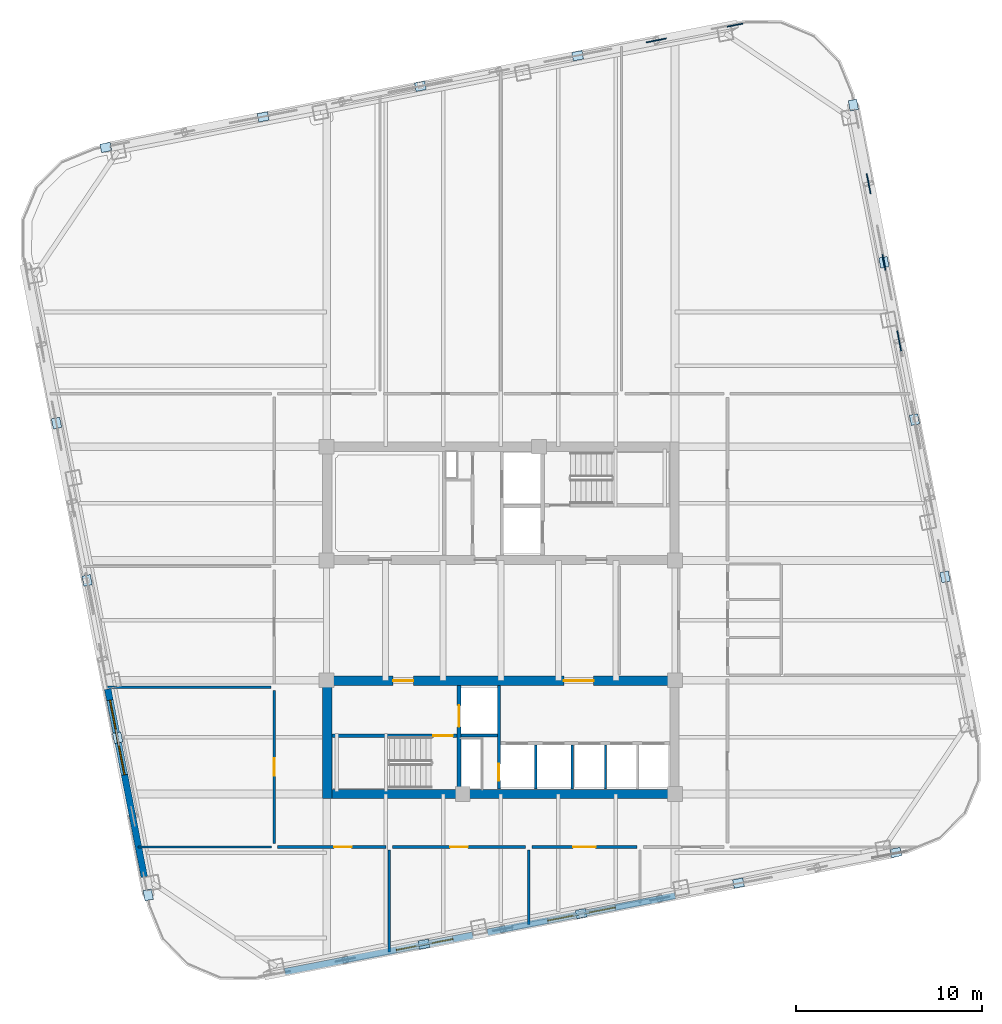
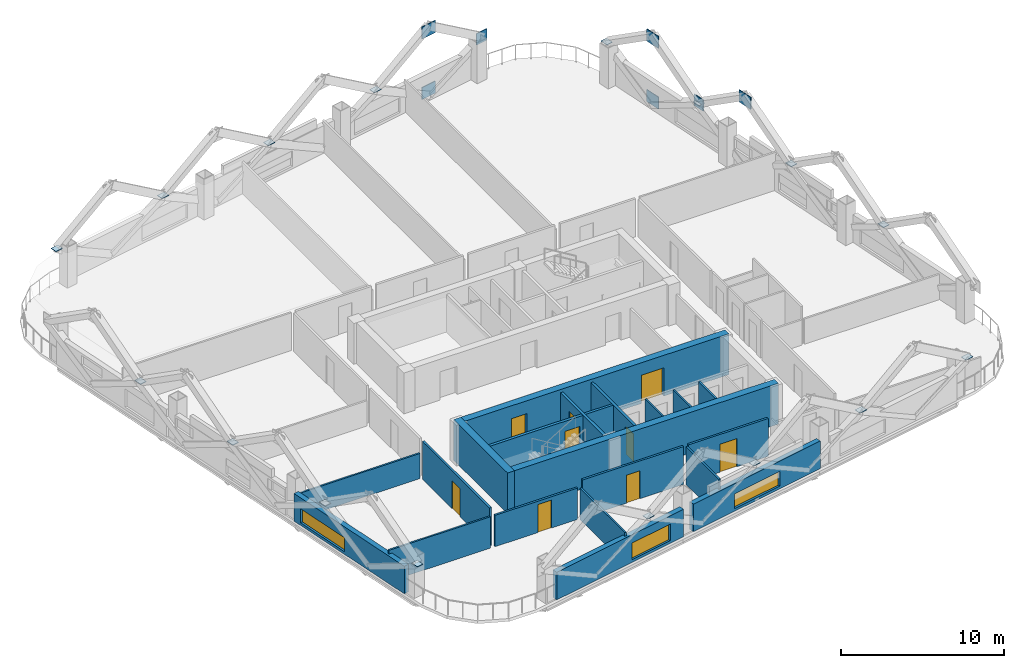
# One storey, part 4 of 10: 23 plates, 21 walls, 9 doors, 3 windows, 12 openings.
"""IFC4 building model written with IfcOpenShell, lengths in metres."""

from ifc_helpers import new_model, si_unit, direction, frame, frame_2d, origin, origin_2d, place, context, subcontext, project, spatial, rectangle, extrude, material, layer, layer_set, type_object, element, fill, save


model = new_model("IFC4")

# Units and contexts
model_context = context("Model", 3, precision=1e-05, world=origin(), true_north=direction((0.0, 1.0)))
body_context = subcontext(model_context, "Body", "Model", "MODEL_VIEW")
ifc_project = project(units=[si_unit("LENGTHUNIT", "METRE"), si_unit("AREAUNIT", "SQUARE_METRE"), si_unit("VOLUMEUNIT", "CUBIC_METRE"), si_unit("PLANEANGLEUNIT", "RADIAN"), si_unit("MASSUNIT", "GRAM", prefix="KILO")], contexts=[model_context])

# Site, building, storey
site_placement = place(None, origin())
site = spatial("IfcSite", under=ifc_project, at=site_placement, CompositionType="ELEMENT")
building_placement = place(site_placement, origin())
building = spatial("IfcBuilding", under=site, at=building_placement, Name="Qhalaya Broadcast Tower", CompositionType="ELEMENT")
storey_placement = place(building_placement, frame((0.0, 0.0, 131.10009765625)))
storey = spatial("IfcBuildingStorey", under=building, at=storey_placement, Name="L38", CompositionType="ELEMENT", Elevation=131.10009765625)

# Plates
ifc_material_1 = material(Name="Structural Steel ASTM A572 Grade 50", Category="steel")
ifc_layer_1 = layer(ifc_material_1, 0.054931640625, Name="Structural Steel ASTM A572 Grade 50")
ifc_layer_set_1 = layer_set([ifc_layer_1], Name="Structural Steel ASTM A572 Grade 50")
plate_type_1 = type_object("IfcPlateType", Name="Exoskeleton Diamond Node Gusset Plate NP-01", PredefinedType="USERDEFINED", material=ifc_layer_set_1)
for number, where, z_axis, x_axis, name in (
    (1, (21.4501953125, 15.642578125, 4.75), (0.0, 0.0, 1.0), (-0.190808995377, 0.981627183448, 0.0), "Exoskeleton Diamond Node B3-E3-TOP"),
    (2, (19.804443359375, 24.109375, 0.2099609375), (0.0, 0.0, 1.0), (-0.190808995377, 0.981627183448, 0.0), "Exoskeleton Diamond Node B3-E4-BOT"),
    (3, (19.804443359375, 24.109375, 4.75), (0.0, 0.0, 1.0), (-0.190808995377, 0.981627183448, 0.0), "Exoskeleton Diamond Node B3-E4-TOP"),
):
    element("IfcPlate", number, at=place(storey_placement, frame(where, z_axis=z_axis, x_axis=x_axis)), inside=storey, type_object=plate_type_1, Name=name, ObjectType="GUSSET_PLATE", PredefinedType="USERDEFINED", context=body_context, shape_type="SweptSolid", body=[
        extrude(rectangle(XDim=1.10009765625, YDim=0.054931640625, at=origin_2d()), origin(), (0.0, 0.0, 1.0), 0.89990234375),
    ])
plate_1_placement = place(storey_placement, frame((20.62744140625, 19.8759765625, 2.264892578125), z_axis=(0.0, 0.0, 1.0), x_axis=(-0.190808995377, 0.981627183448, 0.0)))
element("IfcPlate", 4, at=plate_1_placement, inside=storey, type_object=plate_type_1, Name="Exoskeleton Diamond Node B3-E4-MDL", ObjectType="GUSSET_PLATE", PredefinedType="USERDEFINED", context=body_context, shape_type="SweptSolid", body=[
    extrude(rectangle(XDim=0.85009765625, YDim=0.054931640625, at=origin_2d()), origin(), (0.0, 0.0, 1.0), 0.85009765625),
])
for number, where, z_axis, x_axis, name in (
    (5, (8.370361328125, 31.82177734375, 0.2099609375), (0.0, 0.0, 1.0), (0.981627183448, 0.190808995377, 0.0), "Exoskeleton Diamond Node B3-N1-BOT"),
    (6, (8.370361328125, 31.82177734375, 4.75), (0.0, 0.0, 1.0), (0.981627183448, 0.190808995377, 0.0), "Exoskeleton Diamond Node B3-N1-TOP"),
):
    element("IfcPlate", number, at=place(storey_placement, frame(where, z_axis=z_axis, x_axis=x_axis)), inside=storey, type_object=plate_type_1, Name=name, ObjectType="GUSSET_PLATE", PredefinedType="USERDEFINED", context=body_context, shape_type="SweptSolid", body=[
        extrude(rectangle(XDim=1.10009765625, YDim=0.054931640625, at=origin_2d()), origin(), (0.0, 0.0, 1.0), 0.89990234375),
    ])
plate_2_placement = place(storey_placement, frame((12.603515625, 32.64453125, 2.264892578125), z_axis=(0.0, 0.0, 1.0), x_axis=(0.981627183448, 0.190808995377, 0.0)))
element("IfcPlate", 7, at=plate_2_placement, inside=storey, type_object=plate_type_1, Name="Exoskeleton Diamond Node B3-N1-MDL", ObjectType="GUSSET_PLATE", PredefinedType="USERDEFINED", context=body_context, shape_type="SweptSolid", body=[
    extrude(rectangle(XDim=0.85009765625, YDim=0.054931640625, at=origin_2d()), origin(), (0.0, 0.0, 1.0), 0.85009765625),
])
ifc_layer_2 = layer(ifc_material_1, 0.4599609375, Name="Structural Steel ASTM A572 Grade 50")
ifc_layer_set_2 = layer_set([ifc_layer_2], Name="Structural Steel ASTM A572 Grade 50")
plate_type_2 = type_object("IfcPlateType", Name="Hollow Box Member End Cap Plate CP-01", PredefinedType="USERDEFINED", material=ifc_layer_set_2)
for number, where, z_axis, x_axis, name in (
    (8, (-4.13720703125, -16.8388671875, 2.673828125), (0.0, 0.0, 1.0), (0.981627183448, 0.190808995377, 0.0), "Exoskeleton Hollow End Cap B3-S1"),
    (9, (4.32958984375, -15.193115234375, 2.673828125), (0.0, 0.0, 1.0), (0.981627183448, 0.190808995377, 0.0), "Exoskeleton Hollow End Cap B3-S2"),
    (10, (12.7958984375, -13.54736328125, 2.673828125), (0.0, 0.0, 1.0), (0.981627183448, 0.190808995377, 0.0), "Exoskeleton Hollow End Cap B3-S3"),
    (11, (21.262451171875, -11.901611328125, 2.673828125), (0.0, 0.0, 1.0), (0.981627183448, 0.190808995377, 0.0), "Exoskeleton Hollow End Cap B3-S4"),
    (12, (23.918701171875, 2.94287109375, 2.673828125), (0.0, 0.0, 1.0), (-0.190808995377, 0.981627183448, 0.0), "Exoskeleton Hollow End Cap B3-E1"),
    (13, (22.273193359375, 11.409423828125, 2.673828125), (0.0, 0.0, 1.0), (-0.190808995377, 0.981627183448, 0.0), "Exoskeleton Hollow End Cap B3-E2"),
    (14, (20.62744140625, 19.8759765625, 2.673828125), (0.0, 0.0, 1.0), (-0.190808995377, 0.981627183448, 0.0), "Exoskeleton Hollow End Cap B3-E3"),
    (15, (18.981689453125, 28.342529296875, 2.673828125), (0.0, 0.0, 1.0), (-0.190808995377, 0.981627183448, 0.0), "Exoskeleton Hollow End Cap B3-E4"),
    (16, (4.13720703125, 30.998779296875, 2.673828125), (0.0, 0.0, 1.0), (0.981627183448, 0.190808995377, 0.0), "Exoskeleton Hollow End Cap B3-N1"),
    (17, (-4.32958984375, 29.35302734375, 2.673828125), (0.0, 0.0, 1.0), (0.981627183448, 0.190808995377, 0.0), "Exoskeleton Hollow End Cap B3-N2"),
    (18, (-12.7958984375, 27.70751953125, 2.673828125), (0.0, 0.0, 1.0), (0.981627183448, 0.190808995377, 0.0), "Exoskeleton Hollow End Cap B3-N3"),
    (19, (-21.262451171875, 26.061767578125, 2.673828125), (0.0, 0.0, 1.0), (0.981627183448, 0.190808995377, 0.0), "Exoskeleton Hollow End Cap B3-N4"),
    (20, (-23.918701171875, 11.217041015625, 2.673828125), (0.0, 0.0, 1.0), (-0.190808995377, 0.981627183448, 0.0), "Exoskeleton Hollow End Cap B3-W1"),
    (21, (-22.273193359375, 2.75048828125, 2.673828125), (0.0, 0.0, 1.0), (-0.190808995377, 0.981627183448, 0.0), "Exoskeleton Hollow End Cap B3-W2"),
    (22, (-20.62744140625, -5.716064453125, 2.673828125), (0.0, 0.0, 1.0), (-0.190808995377, 0.981627183448, 0.0), "Exoskeleton Hollow End Cap B3-W3"),
    (23, (-18.981689453125, -14.1826171875, 2.673828125), (0.0, 0.0, 1.0), (-0.190808995377, 0.981627183448, 0.0), "Exoskeleton Hollow End Cap B3-W4"),
):
    element("IfcPlate", number, at=place(storey_placement, frame(where, z_axis=z_axis, x_axis=x_axis)), inside=storey, type_object=plate_type_2, Name=name, ObjectType="COVER_PLATE", PredefinedType="USERDEFINED", context=body_context, shape_type="SweptSolid", body=[
        extrude(rectangle(XDim=0.56005859375, YDim=0.4599609375, at=origin_2d()), origin(), (0.0, 0.0, 1.0), 0.031982421875),
    ])

# Wall, opening, door
ifc_material_2 = material(Name="Gypsum Acoustic Partition")
ifc_layer_3 = layer(ifc_material_2, 0.14990234375, Name="Gypsum Acoustic Partition")
ifc_layer_set_3 = layer_set([ifc_layer_3], Name="Gypsum Acoustic Partition")
wall_type_1 = type_object("IfcWallType", Name="Corridor & Tenancy Acoustic Partition 150", PredefinedType="PARTITIONING", material=ifc_layer_set_3)
wall_1_placement = place(storey_placement, frame((-12.02001953125, -11.60009765625, 0.0), z_axis=(0.0, 0.0, 1.0), x_axis=(1.0, 0.0, 0.0)))
wall_1 = element("IfcWall", 24, at=wall_1_placement, inside=storey, type_object=wall_type_1, Name="L38 Partition Wall W-COR-05", PredefinedType="PARTITIONING", context=body_context, shape_type="SweptSolid", body=[
    extrude(rectangle(XDim=5.840087890625, YDim=0.14990234375, at=frame_2d((2.919921875, 0.0))), origin(), (0.0, 0.0, 1.0), 2.346923828125),
])
opening_1_placement = place(wall_1_placement, frame((3.044921875, 0.0, 0.0)))
opening_1 = element("IfcOpeningElement", 25, at=opening_1_placement, cuts=wall_1, Name="Opening D10", PredefinedType="OPENING", context=body_context, shape_type="SweptSolid", body=[
    extrude(rectangle(XDim=0.949951171875, YDim=2.10009765625, at=frame_2d((0.47509765625, 1.050048828125))), frame((0.0, 0.0869140625, 0.0), z_axis=(0.0, -1.0, 0.0), x_axis=(1.0, 0.0, 0.0)), (0.0, 0.0, 1.0), 0.173828125),
])
ifc_material_3 = material(Name="Timber Veneer Acoustic Door", Category="wood")
door_type_1 = type_object("IfcDoorType", Name="Cellular Office & Edit Booth Door D10", OperationType="NOTDEFINED", PredefinedType="DOOR", material=ifc_material_3)
door_1_placement = place(opening_1_placement, origin())
door_1 = element("IfcDoor", 26, at=door_1_placement, inside=storey, type_object=door_type_1, Name="L38 Door D-RM05", OperationType="SINGLE_SWING_RIGHT", OverallHeight=2.10009765625, OverallWidth=0.949951171875, PredefinedType="DOOR", context=body_context, shape_type="SweptSolid", body=[
    extrude(rectangle(XDim=0.949951171875, YDim=2.10009765625, at=frame_2d((0.47509765625, 1.050048828125))), frame((0.0, 0.02490234375, 0.0), z_axis=(0.0, -1.0, 0.0), x_axis=(1.0, 0.0, 0.0)), (0.0, 0.0, 1.0), 0.050048828125),
])
fill(opening_1, door_1)

wall_2_placement = place(storey_placement, frame((-5.820068359375, -11.60009765625, 0.0), z_axis=(0.0, 0.0, 1.0), x_axis=(1.0, 0.0, 0.0)))
wall_2 = element("IfcWall", 27, at=wall_2_placement, inside=storey, type_object=wall_type_1, Name="L38 Partition Wall W-COR-06", PredefinedType="PARTITIONING", context=body_context, shape_type="SweptSolid", body=[
    extrude(rectangle(XDim=7.14013671875, YDim=0.14990234375, at=frame_2d((3.570068359375, 0.0))), origin(), (0.0, 0.0, 1.0), 2.829833984375),
])
opening_2_placement = place(wall_2_placement, frame((3.094970703125, 0.0, 0.0)))
opening_2 = element("IfcOpeningElement", 28, at=opening_2_placement, cuts=wall_2, Name="Opening D10", PredefinedType="OPENING", context=body_context, shape_type="SweptSolid", body=[
    extrude(rectangle(XDim=0.949951171875, YDim=2.10009765625, at=frame_2d((0.47509765625, 1.050048828125))), frame((0.0, 0.0869140625, 0.0), z_axis=(0.0, -1.0, 0.0), x_axis=(1.0, 0.0, 0.0)), (0.0, 0.0, 1.0), 0.173828125),
])
door_2_placement = place(opening_2_placement, origin())
door_2 = element("IfcDoor", 29, at=door_2_placement, inside=storey, type_object=door_type_1, Name="L38 Door D-RM06", OperationType="SINGLE_SWING_LEFT", OverallHeight=2.10009765625, OverallWidth=0.949951171875, PredefinedType="DOOR", context=body_context, shape_type="SweptSolid", body=[
    extrude(rectangle(XDim=0.949951171875, YDim=2.10009765625, at=frame_2d((0.47509765625, 1.050048828125))), frame((0.0, 0.02490234375, 0.0), z_axis=(0.0, -1.0, 0.0), x_axis=(1.0, 0.0, 0.0)), (0.0, 0.0, 1.0), 0.050048828125),
])
fill(opening_2, door_2)

wall_3_placement = place(storey_placement, frame((1.679931640625, -11.60009765625, 0.0), z_axis=(0.0, 0.0, 1.0), x_axis=(1.0, 0.0, 0.0)))
wall_3 = element("IfcWall", 30, at=wall_3_placement, inside=storey, type_object=wall_type_1, Name="L38 Partition Wall W-COR-07", PredefinedType="PARTITIONING", context=body_context, shape_type="SweptSolid", body=[
    extrude(rectangle(XDim=5.64013671875, YDim=0.14990234375, at=frame_2d((2.820068359375, 0.0))), origin(), (0.0, 0.0, 1.0), 2.829833984375),
])
opening_3_placement = place(wall_3_placement, frame((2.219970703125, 0.0, 0.0)))
opening_3 = element("IfcOpeningElement", 31, at=opening_3_placement, cuts=wall_3, Name="Opening D11", PredefinedType="OPENING", context=body_context, shape_type="SweptSolid", body=[
    extrude(rectangle(XDim=1.199951171875, YDim=2.10009765625, at=frame_2d((0.60009765625, 1.050048828125))), frame((0.0, 0.0869140625, 0.0), z_axis=(0.0, -1.0, 0.0), x_axis=(1.0, 0.0, 0.0)), (0.0, 0.0, 1.0), 0.173828125),
])
ifc_material_4 = material(Name="Anodised Aluminium Glazed Door", Category="aluminium")
door_type_2 = type_object("IfcDoorType", Name="Conference, Boardroom & Studio Control Door D11", OperationType="NOTDEFINED", PredefinedType="DOOR", material=ifc_material_4)
door_3_placement = place(opening_3_placement, origin())
door_3 = element("IfcDoor", 32, at=door_3_placement, inside=storey, type_object=door_type_2, Name="L38 Door D-RM07", OperationType="SINGLE_SWING_RIGHT", OverallHeight=2.10009765625, OverallWidth=1.199951171875, PredefinedType="DOOR", context=body_context, shape_type="SweptSolid", body=[
    extrude(rectangle(XDim=1.199951171875, YDim=2.10009765625, at=frame_2d((0.60009765625, 1.050048828125))), frame((0.0, 0.02490234375, 0.0), z_axis=(0.0, -1.0, 0.0), x_axis=(1.0, 0.0, 0.0)), (0.0, 0.0, 1.0), 0.050048828125),
])
fill(opening_3, door_3)

wall_4_placement = place(storey_placement, frame((-12.199951171875, -11.419921875, 0.0), z_axis=(0.0, 0.0, 1.0), x_axis=(0.0, 1.0, 0.0)))
wall_4 = element("IfcWall", 33, at=wall_4_placement, inside=storey, type_object=wall_type_1, Name="L38 Partition Wall W-COR-09", PredefinedType="PARTITIONING", context=body_context, shape_type="SweptSolid", body=[
    extrude(rectangle(XDim=8.239990234375, YDim=0.14990234375, at=frame_2d((4.1201171875, 0.0))), origin(), (0.0, 0.0, 1.0), 2.829833984375),
])
opening_4_placement = place(wall_4_placement, frame((3.64501953125, 0.0, 0.0)))
opening_4 = element("IfcOpeningElement", 34, at=opening_4_placement, cuts=wall_4, Name="Opening D10", PredefinedType="OPENING", context=body_context, shape_type="SweptSolid", body=[
    extrude(rectangle(XDim=0.949951171875, YDim=2.10009765625, at=frame_2d((0.47509765625, 1.050048828125))), frame((0.0, 0.0869140625, 0.0), z_axis=(0.0, -1.0, 0.0), x_axis=(1.0, 0.0, 0.0)), (0.0, 0.0, 1.0), 0.173828125),
])
door_4_placement = place(opening_4_placement, origin())
door_4 = element("IfcDoor", 35, at=door_4_placement, inside=storey, type_object=door_type_1, Name="L38 Door D-RM09", OperationType="SINGLE_SWING_RIGHT", OverallHeight=2.10009765625, OverallWidth=0.949951171875, PredefinedType="DOOR", context=body_context, shape_type="SweptSolid", body=[
    extrude(rectangle(XDim=0.949951171875, YDim=2.10009765625, at=frame_2d((0.47509765625, 1.050048828125))), frame((0.0, 0.02490234375, 0.0), z_axis=(0.0, -1.0, 0.0), x_axis=(1.0, 0.0, 0.0)), (0.0, 0.0, 1.0), 0.050048828125),
])
fill(opening_4, door_4)

# Wall, opening, window
ifc_material_5 = material(Name="Precast Concrete C40/50", Category="concrete")
ifc_layer_4 = layer(ifc_material_5, 0.360107421875, Name="Precast Concrete C40/50")
ifc_layer_set_4 = layer_set([ifc_layer_4], Name="Precast Concrete C40/50")
wall_type_2 = type_object("IfcWallType", Name="Insulated Precast Terracotta Exterior Wall 360", PredefinedType="SOLIDWALL", material=ifc_layer_set_4)
wall_5_placement = place(storey_placement, frame((9.388671875, -14.22998046875, 0.0), z_axis=(0.0, 0.0, 1.0), x_axis=(-0.981627477005, -0.190807485147, 0.0)))
wall_5 = element("IfcWall", 36, at=wall_5_placement, inside=storey, type_object=wall_type_2, Name="L38 Exoskeleton Diagrid Infill Wall S2", PredefinedType="SOLIDWALL", context=body_context, shape_type="SweptSolid", body=[
    extrude(rectangle(XDim=10.300048828125, YDim=0.360107421875, at=frame_2d((5.14990234375, 0.0))), origin(), (0.0, 0.0, 1.0), 2.06689453125),
])
opening_5_placement = place(wall_5_placement, frame((3.2880859375, 0.0, 0.199951171875)))
opening_5 = element("IfcOpeningElement", 37, at=opening_5_placement, cuts=wall_5, Name="Opening W11", PredefinedType="OPENING", context=body_context, shape_type="SweptSolid", body=[
    extrude(rectangle(XDim=3.699951171875, YDim=1.10009765625, at=frame_2d((1.85009765625, 0.550048828125))), frame((0.0, 0.192138671875, 0.0), z_axis=(0.0, -1.0, 0.0), x_axis=(1.0, 0.0, 0.0)), (0.0, 0.0, 1.0), 0.384033203125),
])
ifc_material_6 = material(Name="Solar-Control Low-E Triple Glazing", Category="glass")
window_type = type_object("IfcWindowType", Name="Odd-Block Diagrid Infill Window W11", PartitioningType="SINGLE_PANEL", PredefinedType="WINDOW", material=ifc_material_6)
window_1_placement = place(opening_5_placement, origin())
window_1 = element("IfcWindow", 38, at=window_1_placement, inside=storey, type_object=window_type, Name="L38 Diagrid Infill Window W11-S2", OverallHeight=1.10009765625, OverallWidth=3.699951171875, PartitioningType="SINGLE_PANEL", PredefinedType="WINDOW", context=body_context, shape_type="SweptSolid", body=[
    extrude(rectangle(XDim=3.699951171875, YDim=1.10009765625, at=frame_2d((1.85009765625, 0.550048828125))), frame((0.0, 0.030029296875, 0.0), z_axis=(0.0, -1.0, 0.0), x_axis=(1.0, 0.0, 0.0)), (0.0, 0.0, 1.0), 0.06005859375),
])
fill(opening_5, window_1)

wall_6_placement = place(storey_placement, frame((-1.50732421875, -16.34814453125, 0.0), z_axis=(0.0, 0.0, 1.0), x_axis=(-0.981628941133, -0.190799952646, 0.0)))
wall_6 = element("IfcWall", 39, at=wall_6_placement, inside=storey, type_object=wall_type_2, Name="L38 Exoskeleton Diagrid Infill Wall S3", PredefinedType="SOLIDWALL", context=body_context, shape_type="SweptSolid", body=[
    extrude(rectangle(XDim=10.31201171875, YDim=0.360107421875, at=frame_2d((5.156005859375, 0.0))), origin(), (0.0, 0.0, 1.0), 2.06689453125),
])
opening_6_placement = place(wall_6_placement, frame((1.087890625, 0.0, 0.199951171875)))
opening_6 = element("IfcOpeningElement", 40, at=opening_6_placement, cuts=wall_6, Name="Opening W11", PredefinedType="OPENING", context=body_context, shape_type="SweptSolid", body=[
    extrude(rectangle(XDim=3.10009765625, YDim=1.25, at=frame_2d((1.550048828125, 0.625))), frame((0.0, 0.192138671875, 0.0), z_axis=(0.0, -1.0, 0.0), x_axis=(1.0, 0.0, 0.0)), (0.0, 0.0, 1.0), 0.384033203125),
])
window_2_placement = place(opening_6_placement, origin())
window_2 = element("IfcWindow", 41, at=window_2_placement, inside=storey, type_object=window_type, Name="L38 Diagrid Infill Window W11-S3", OverallHeight=1.25, OverallWidth=3.10009765625, PartitioningType="SINGLE_PANEL", PredefinedType="WINDOW", context=body_context, shape_type="SweptSolid", body=[
    extrude(rectangle(XDim=3.10009765625, YDim=1.25, at=frame_2d((1.550048828125, 0.625))), frame((0.0, 0.030029296875, 0.0), z_axis=(0.0, -1.0, 0.0), x_axis=(1.0, 0.0, 0.0)), (0.0, 0.0, 1.0), 0.06005859375),
])
fill(opening_6, window_2)

wall_7_placement = place(storey_placement, frame((-19.189697265625, -13.216552734375, 0.0), z_axis=(0.0, 0.0, 1.0), x_axis=(-0.190822765986, 0.981624506612, 0.0)))
wall_7 = element("IfcWall", 42, at=wall_7_placement, inside=storey, type_object=wall_type_2, Name="L38 Exoskeleton Diagrid Infill Wall W1", PredefinedType="SOLIDWALL", context=body_context, shape_type="SweptSolid", body=[
    extrude(rectangle(XDim=10.31201171875, YDim=0.360107421875, at=frame_2d((5.156005859375, 0.0))), origin(), (0.0, 0.0, 1.0), 2.06689453125),
])
opening_7_placement = place(wall_7_placement, frame((5.60009765625, 0.0, 0.199951171875)))
opening_7 = element("IfcOpeningElement", 43, at=opening_7_placement, cuts=wall_7, Name="Opening W11", PredefinedType="OPENING", context=body_context, shape_type="SweptSolid", body=[
    extrude(rectangle(XDim=4.10009765625, YDim=1.050048828125, at=frame_2d((2.050048828125, 0.52490234375))), frame((0.0, 0.192138671875, 0.0), z_axis=(0.0, -1.0, 0.0), x_axis=(1.0, 0.0, 0.0)), (0.0, 0.0, 1.0), 0.384033203125),
])
window_3_placement = place(opening_7_placement, origin())
window_3 = element("IfcWindow", 44, at=window_3_placement, inside=storey, type_object=window_type, Name="L38 Diagrid Infill Window W11-W1", OverallHeight=1.050048828125, OverallWidth=4.10009765625, PartitioningType="SINGLE_PANEL", PredefinedType="WINDOW", context=body_context, shape_type="SweptSolid", body=[
    extrude(rectangle(XDim=4.10009765625, YDim=1.050048828125, at=frame_2d((2.050048828125, 0.52490234375))), frame((0.0, 0.030029296875, 0.0), z_axis=(0.0, -1.0, 0.0), x_axis=(1.0, 0.0, 0.0)), (0.0, 0.0, 1.0), 0.06005859375),
])
fill(opening_7, window_3)

# Wall, opening, door
ifc_material_7 = material(Name="Concrete C50/60", Category="concrete")
ifc_layer_5 = layer(ifc_material_7, 0.199951171875, Name="Concrete C50/60")
ifc_layer_set_5 = layer_set([ifc_layer_5], Name="Concrete C50/60")
wall_type_3 = type_object("IfcWallType", Name="Load-Bearing Stair Shaft Wall 200", PredefinedType="SHEAR", material=ifc_layer_set_5)
wall_8_placement = place(storey_placement, frame((-9.080078125, -5.60498046875, 0.0), z_axis=(0.0, 0.0, 1.0), x_axis=(1.0, 0.0, 0.0)))
wall_8 = element("IfcWall", 45, at=wall_8_placement, inside=storey, type_object=wall_type_3, Name="L38 Stair Core Shear Wall SCW-ST2", PredefinedType="SHEAR", context=body_context, shape_type="SweptSolid", body=[
    extrude(rectangle(XDim=6.719970703125, YDim=0.199951171875, at=frame_2d((3.35986328125, 0.0))), origin(), (0.0, 0.0, 1.0), 2.829833984375),
])
opening_8_placement = place(wall_8_placement, frame((5.449951171875, 0.0, 0.0)))
opening_8 = element("IfcOpeningElement", 46, at=opening_8_placement, cuts=wall_8, Name="Opening D03", PredefinedType="OPENING", context=body_context, shape_type="SweptSolid", body=[
    extrude(rectangle(XDim=1.050048828125, YDim=2.080078125, at=frame_2d((0.52490234375, 1.0400390625))), frame((0.0, 0.112060546875, 0.0), z_axis=(0.0, -1.0, 0.0), x_axis=(1.0, 0.0, 0.0)), (0.0, 0.0, 1.0), 0.223876953125),
])
ifc_material_8 = material(Name="Fire-Rated Steel Door", Category="steel")
door_type_3 = type_object("IfcDoorType", Name="Core Stair Protected Fire Door D03", OperationType="NOTDEFINED", PredefinedType="DOOR", material=ifc_material_8)
door_5_placement = place(opening_8_placement, origin())
door_5 = element("IfcDoor", 47, at=door_5_placement, inside=storey, type_object=door_type_3, Name="L38 Door D-SST2", OperationType="SINGLE_SWING_RIGHT", OverallHeight=2.080078125, OverallWidth=1.050048828125, PredefinedType="DOOR", context=body_context, shape_type="SweptSolid", body=[
    extrude(rectangle(XDim=1.050048828125, YDim=2.080078125, at=frame_2d((0.52490234375, 1.0400390625))), frame((0.0, 0.02490234375, 0.0), z_axis=(0.0, -1.0, 0.0), x_axis=(1.0, 0.0, 0.0)), (0.0, 0.0, 1.0), 0.050048828125),
])
fill(opening_8, door_5)

wall_9_placement = place(storey_placement, frame((-2.25, -8.47998046875, 0.0), z_axis=(0.0, 0.0, 1.0), x_axis=(0.0, 1.0, 0.0)))
wall_9 = element("IfcWall", 48, at=wall_9_placement, inside=storey, type_object=wall_type_3, Name="L38 Stair Core Shear Wall SCW-FF", PredefinedType="SHEAR", context=body_context, shape_type="SweptSolid", body=[
    extrude(rectangle(XDim=5.56005859375, YDim=0.199951171875, at=frame_2d((2.780029296875, 0.0))), origin(), (0.0, 0.0, 1.0), 2.829833984375),
])
opening_9_placement = place(wall_9_placement, frame((3.35009765625, 0.0, 0.0)))
opening_9 = element("IfcOpeningElement", 49, at=opening_9_placement, cuts=wall_9, Name="Opening LD2", PredefinedType="OPENING", context=body_context, shape_type="SweptSolid", body=[
    extrude(rectangle(XDim=1.14990234375, YDim=2.080078125, at=frame_2d((0.574951171875, 1.0400390625))), frame((0.0, 0.112060546875, 0.0), z_axis=(0.0, -1.0, 0.0), x_axis=(1.0, 0.0, 0.0)), (0.0, 0.0, 1.0), 0.223876953125),
])
ifc_material_9 = material(Name="Brushed Stainless Steel Lift Door", Category="steel")
door_type_4 = type_object("IfcDoorType", Name="Firefighting Lift Sliding Landing Door LD2", OperationType="DOUBLE_DOOR_SLIDING", PredefinedType="DOOR", material=ifc_material_9)
door_6_placement = place(opening_9_placement, origin())
door_6 = element("IfcDoor", 50, at=door_6_placement, inside=storey, type_object=door_type_4, Name="L38 Door LD-FF2", OperationType="DOUBLE_DOOR_SLIDING", OverallHeight=2.080078125, OverallWidth=1.14990234375, PredefinedType="DOOR", context=body_context, shape_type="SweptSolid", body=[
    extrude(rectangle(XDim=1.14990234375, YDim=2.080078125, at=frame_2d((0.574951171875, 1.0400390625))), frame((0.0, 0.02490234375, 0.0), z_axis=(0.0, -1.0, 0.0), x_axis=(1.0, 0.0, 0.0)), (0.0, 0.0, 1.0), 0.050048828125),
])
fill(opening_9, door_6)

# Wall
ifc_layer_6 = layer(ifc_material_7, 0.5, Name="Concrete C50/60")
ifc_layer_set_6 = layer_set([ifc_layer_6], Name="Concrete C50/60")
wall_type_4 = type_object("IfcWallType", Name="Mid Split-Core Shear Wall 500", PredefinedType="SHEAR", material=ifc_layer_set_6)
wall_10_placement = place(storey_placement, frame((-9.60009765625, -8.75, 0.0), z_axis=(0.0, 0.0, 1.0), x_axis=(1.0, 0.0, 0.0)))
element("IfcWall", 51, at=wall_10_placement, inside=storey, type_object=wall_type_4, Name="L38 Split-Core Shear Wall CW-SS", PredefinedType="SHEAR", context=body_context, shape_type="SweptSolid", body=[
    extrude(rectangle(XDim=19.2001953125, YDim=0.5, at=frame_2d((9.60009765625, 0.0))), origin(), (0.0, 0.0, 1.0), 3.0498046875),
])

# Wall, openings, doors
wall_11_placement = place(storey_placement, frame((-9.60009765625, -2.64990234375, 0.0), z_axis=(0.0, 0.0, 1.0), x_axis=(1.0, 0.0, 0.0)))
wall_11 = element("IfcWall", 52, at=wall_11_placement, inside=storey, type_object=wall_type_4, Name="L38 Split-Core Shear Wall CW-SN", PredefinedType="SHEAR", context=body_context, shape_type="SweptSolid", body=[
    extrude(rectangle(XDim=19.2001953125, YDim=0.5, at=frame_2d((9.60009765625, 0.0))), origin(), (0.0, 0.0, 1.0), 3.0498046875),
])
opening_10_placement = place(wall_11_placement, frame((3.800048828125, 0.0, 0.0)))
opening_10 = element("IfcOpeningElement", 53, at=opening_10_placement, cuts=wall_11, Name="Opening D04", PredefinedType="OPENING", context=body_context, shape_type="SweptSolid", body=[
    extrude(rectangle(XDim=1.10009765625, YDim=2.080078125, at=frame_2d((0.550048828125, 1.0400390625))), frame((0.0, 0.261962890625, 0.0), z_axis=(0.0, -1.0, 0.0), x_axis=(1.0, 0.0, 0.0)), (0.0, 0.0, 1.0), 0.52392578125),
])
opening_11_placement = place(wall_11_placement, frame((13.0, 0.0, 0.0)))
opening_11 = element("IfcOpeningElement", 54, at=opening_11_placement, cuts=wall_11, Name="Opening D07", PredefinedType="OPENING", context=body_context, shape_type="SweptSolid", body=[
    extrude(rectangle(XDim=1.60009765625, YDim=2.1201171875, at=frame_2d((0.800048828125, 1.06005859375))), frame((0.0, 0.261962890625, 0.0), z_axis=(0.0, -1.0, 0.0), x_axis=(1.0, 0.0, 0.0)), (0.0, 0.0, 1.0), 0.52392578125),
])
door_type_5 = type_object("IfcDoorType", Name="Firefighting Lobby Rated Door D04", OperationType="NOTDEFINED", PredefinedType="DOOR", material=ifc_material_8)
door_7_placement = place(opening_10_placement, origin())
door_7 = element("IfcDoor", 55, at=door_7_placement, inside=storey, type_object=door_type_5, Name="L38 Door D-SFF", OperationType="SINGLE_SWING_LEFT", OverallHeight=2.080078125, OverallWidth=1.10009765625, PredefinedType="DOOR", context=body_context, shape_type="SweptSolid", body=[
    extrude(rectangle(XDim=1.10009765625, YDim=2.080078125, at=frame_2d((0.550048828125, 1.0400390625))), frame((0.0, 0.02490234375, 0.0), z_axis=(0.0, -1.0, 0.0), x_axis=(1.0, 0.0, 0.0)), (0.0, 0.0, 1.0), 0.050048828125),
])
fill(opening_10, door_7)
door_type_6 = type_object("IfcDoorType", Name="Passenger Lift Lobby Double Glazed Door D07", OperationType="DOUBLE_DOOR_SINGLE_SWING", PredefinedType="DOOR", material=ifc_material_4)
door_8_placement = place(opening_11_placement, origin())
door_8 = element("IfcDoor", 56, at=door_8_placement, inside=storey, type_object=door_type_6, Name="L38 Door D-SPLL", OperationType="DOUBLE_DOOR_SINGLE_SWING", OverallHeight=2.1201171875, OverallWidth=1.60009765625, PredefinedType="DOOR", context=body_context, shape_type="SweptSolid", body=[
    extrude(rectangle(XDim=1.60009765625, YDim=2.1201171875, at=frame_2d((0.800048828125, 1.06005859375))), frame((0.0, 0.02490234375, 0.0), z_axis=(0.0, -1.0, 0.0), x_axis=(1.0, 0.0, 0.0)), (0.0, 0.0, 1.0), 0.050048828125),
])
fill(opening_11, door_8)

# Walls
wall_12_placement = place(storey_placement, frame((-9.35009765625, -9.0, 0.0), z_axis=(0.0, 0.0, 1.0), x_axis=(0.0, 1.0, 0.0)))
element("IfcWall", 57, at=wall_12_placement, inside=storey, type_object=wall_type_4, Name="L38 Split-Core Shear Wall CW-SW", PredefinedType="SHEAR", context=body_context, shape_type="SweptSolid", body=[
    extrude(rectangle(XDim=6.60009765625, YDim=0.5, at=frame_2d((3.300048828125, 0.0))), origin(), (0.0, 0.0, 1.0), 3.0498046875),
])
ifc_layer_7 = layer(ifc_material_2, 0.1201171875, Name="Gypsum Acoustic Partition")
ifc_layer_set_7 = layer_set([ifc_layer_7], Name="Gypsum Acoustic Partition")
wall_type_5 = type_object("IfcWallType", Name="Office, Booth & Sanitary Partition 120", PredefinedType="PARTITIONING", material=ifc_layer_set_7)
for number, where, z_axis, x_axis, name in (
    (58, (1.8798828125, -8.47998046875, 0.0), (0.0, 0.0, 1.0), (0.0, 1.0, 0.0), "L38 Partition Wall SCW-MD4"),
    (59, (3.85009765625, -8.47998046875, 0.0), (0.0, 0.0, 1.0), (0.0, 1.0, 0.0), "L38 Partition Wall SCW-MD5"),
    (60, (5.639892578125, -8.47998046875, 0.0), (0.0, 0.0, 1.0), (0.0, 1.0, 0.0), "L38 Partition Wall SCW-HD6"),
):
    element("IfcWall", number, at=place(storey_placement, frame(where, z_axis=z_axis, x_axis=x_axis)), inside=storey, type_object=wall_type_5, Name=name, PredefinedType="PARTITIONING", context=body_context, shape_type="SweptSolid", body=[
        extrude(rectangle(XDim=2.3798828125, YDim=0.1201171875, at=frame_2d((1.18994140625, 0.0))), origin(), (0.0, 0.0, 1.0), 2.829833984375),
    ])
wall_13_placement = place(storey_placement, frame((-19.5244140625, -11.60009765625, 0.0), z_axis=(0.0, 0.0, 1.0), x_axis=(1.0, 0.0, 0.0)))
element("IfcWall", 61, at=wall_13_placement, inside=storey, type_object=wall_type_5, Name="L38 Partition Wall W-BNDW2", PredefinedType="PARTITIONING", context=body_context, shape_type="SweptSolid", body=[
    extrude(rectangle(XDim=7.184326171875, YDim=0.1201171875, at=frame_2d((3.59228515625, 0.0))), origin(), (0.0, 0.0, 1.0), 2.346923828125),
])
wall_14_placement = place(storey_placement, frame((-6.0, -17.24169921875, 0.0), z_axis=(0.0, 0.0, 1.0), x_axis=(0.0, 1.0, 0.0)))
element("IfcWall", 62, at=wall_14_placement, inside=storey, type_object=wall_type_5, Name="L38 Partition Wall W-DIVS1", PredefinedType="PARTITIONING", context=body_context, shape_type="SweptSolid", body=[
    extrude(rectangle(XDim=5.481689453125, YDim=0.1201171875, at=frame_2d((2.74072265625, 0.0))), origin(), (0.0, 0.0, 1.0), 2.346923828125),
])
wall_15_placement = place(storey_placement, frame((1.5, -15.78369140625, 0.0), z_axis=(0.0, 0.0, 1.0), x_axis=(0.0, 1.0, 0.0)))
element("IfcWall", 63, at=wall_15_placement, inside=storey, type_object=wall_type_5, Name="L38 Partition Wall W-DIVS2", PredefinedType="PARTITIONING", context=body_context, shape_type="SweptSolid", body=[
    extrude(rectangle(XDim=4.023681640625, YDim=0.1201171875, at=frame_2d((2.01171875, 0.0))), origin(), (0.0, 0.0, 1.0), 2.829833984375),
])
wall_16_placement = place(storey_placement, frame((-21.196044921875, -3.0, 0.0), z_axis=(0.0, 0.0, 1.0), x_axis=(1.0, 0.0, 0.0)))
element("IfcWall", 64, at=wall_16_placement, inside=storey, type_object=wall_type_5, Name="L38 Partition Wall W-DIVW1", PredefinedType="PARTITIONING", context=body_context, shape_type="SweptSolid", body=[
    extrude(rectangle(XDim=8.8359375, YDim=0.1201171875, at=frame_2d((4.41796875, 0.0))), origin(), (0.0, 0.0, 1.0), 1.8828125),
])

# Wall, opening, door
ifc_layer_8 = layer(ifc_material_2, 0.175048828125, Name="Gypsum Acoustic Partition")
ifc_layer_set_8 = layer_set([ifc_layer_8], Name="Gypsum Acoustic Partition")
wall_type_6 = type_object("IfcWallType", Name="Shaft & Riser Fire Partition 175", PredefinedType="PARTITIONING", material=ifc_layer_set_8)
wall_17_placement = place(storey_placement, frame((-0.10009765625, -8.47998046875, 0.0), z_axis=(0.0, 0.0, 1.0), x_axis=(0.0, 1.0, 0.0)))
wall_17 = element("IfcWall", 65, at=wall_17_placement, inside=storey, type_object=wall_type_6, Name="L38 Partition Wall SCW-FFE", PredefinedType="PARTITIONING", context=body_context, shape_type="SweptSolid", body=[
    extrude(rectangle(XDim=5.56005859375, YDim=0.175048828125, at=frame_2d((2.780029296875, 0.0))), origin(), (0.0, 0.0, 1.0), 2.829833984375),
])
opening_12_placement = place(wall_17_placement, frame((0.449951171875, 0.0, 0.0)))
opening_12 = element("IfcOpeningElement", 66, at=opening_12_placement, cuts=wall_17, Name="Opening D06", PredefinedType="OPENING", context=body_context, shape_type="SweptSolid", body=[
    extrude(rectangle(XDim=0.89990234375, YDim=2.050048828125, at=frame_2d((0.449951171875, 1.02490234375))), frame((0.0, 0.099609375, 0.0), z_axis=(0.0, -1.0, 0.0), x_axis=(1.0, 0.0, 0.0)), (0.0, 0.0, 1.0), 0.198974609375),
])
door_type_7 = type_object("IfcDoorType", Name="Riser & Electrical Shaft Access Door D06", OperationType="NOTDEFINED", PredefinedType="DOOR", material=ifc_material_8)
door_9_placement = place(opening_12_placement, origin())
door_9 = element("IfcDoor", 67, at=door_9_placement, inside=storey, type_object=door_type_7, Name="L38 Riser Shaft Access Door D-SRSR", OperationType="SINGLE_SWING_LEFT", OverallHeight=2.050048828125, OverallWidth=0.89990234375, PredefinedType="DOOR", context=body_context, shape_type="SweptSolid", body=[
    extrude(rectangle(XDim=0.89990234375, YDim=2.050048828125, at=frame_2d((0.449951171875, 1.02490234375))), frame((0.0, 0.02490234375, 0.0), z_axis=(0.0, -1.0, 0.0), x_axis=(1.0, 0.0, 0.0)), (0.0, 0.0, 1.0), 0.050048828125),
])
fill(opening_12, door_9)

# Wall
wall_18_placement = place(storey_placement, frame((-2.14990234375, -5.60009765625, 0.0), z_axis=(0.0, 0.0, 1.0), x_axis=(1.0, 0.0, 0.0)))
element("IfcWall", 68, at=wall_18_placement, inside=storey, type_object=wall_type_6, Name="L38 Partition Wall SCW-FFM", PredefinedType="PARTITIONING", context=body_context, shape_type="SweptSolid", body=[
    extrude(rectangle(XDim=1.969970703125, YDim=0.175048828125, at=frame_2d((0.98486328125, 0.0))), origin(), (0.0, 0.0, 1.0), 2.829833984375),
])

save(model, "model.ifc")
